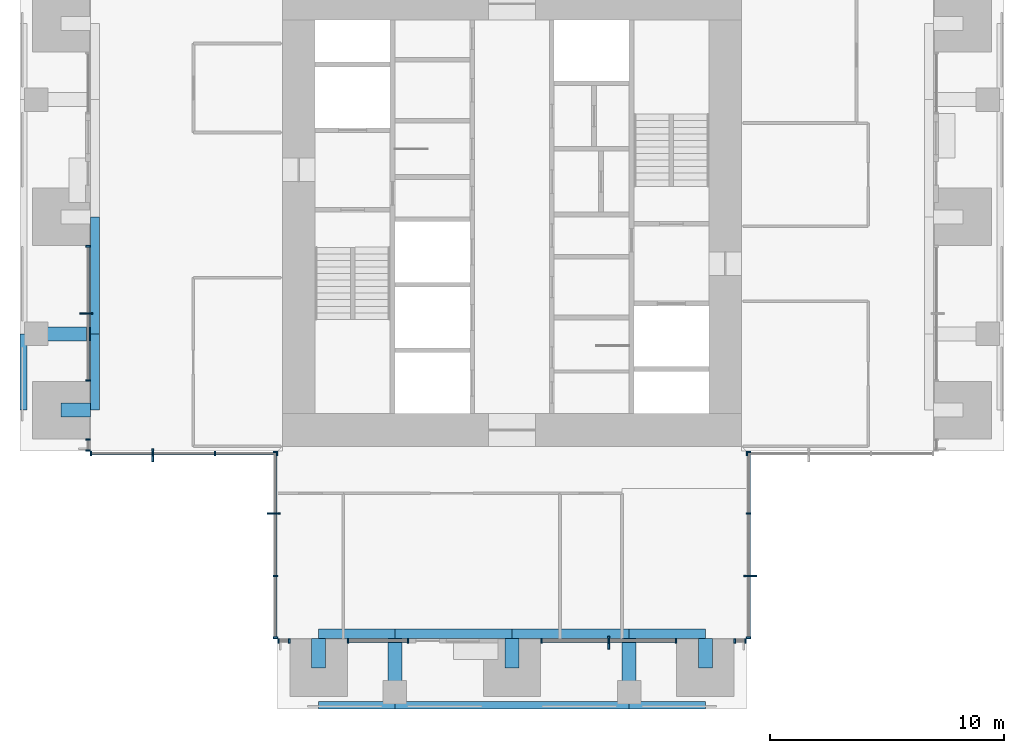
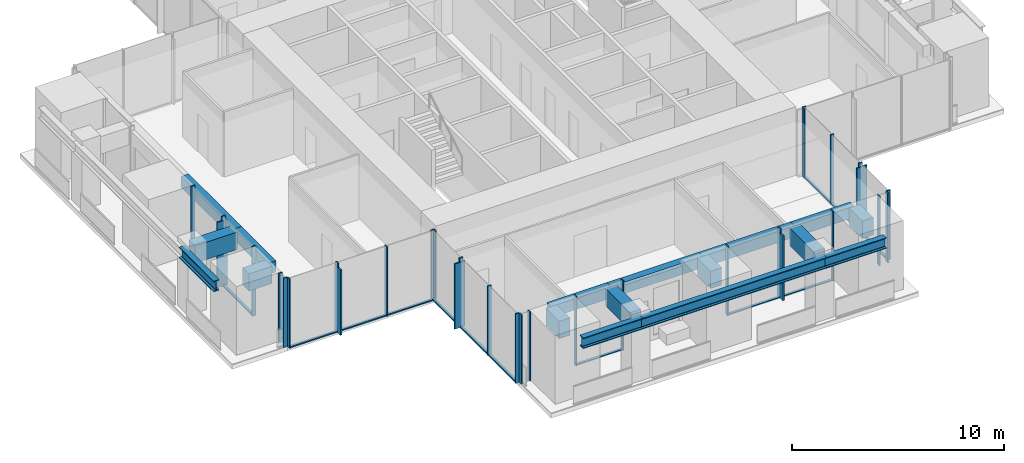
# One storey, part 2 of 17: 46 members, 17 beams, 10 elements without a shape of their own.
"""IFC4 building model written with IfcOpenShell, lengths in metres."""

from ifc_helpers import new_model, si_unit, direction, frame, origin, origin_2d, place, context, subcontext, project, spatial, rectangle, i_section, extrude, material, material_profile, profile_set, type_object, element, aggregate, save


model = new_model("IFC4")

# Units and contexts
model_context = context("Model", 3, precision=1e-05, world=origin(), true_north=direction((0.0, 1.0)))
body_context = subcontext(model_context, "Body", "Model", "MODEL_VIEW")
ifc_project = project(units=[si_unit("LENGTHUNIT", "METRE"), si_unit("AREAUNIT", "SQUARE_METRE"), si_unit("VOLUMEUNIT", "CUBIC_METRE"), si_unit("PLANEANGLEUNIT", "RADIAN"), si_unit("MASSUNIT", "GRAM", prefix="KILO")], contexts=[model_context])

# Site, building, storey
site_placement = place(None, origin())
site = spatial("IfcSite", under=ifc_project, at=site_placement, CompositionType="ELEMENT")
building_placement = place(site_placement, origin())
building = spatial("IfcBuilding", under=site, at=building_placement, Name="Svetlomir Tower", CompositionType="ELEMENT")
storey_placement = place(building_placement, frame((0.0, 0.0, 174.5)))
storey = spatial("IfcBuildingStorey", under=building, at=storey_placement, Name="L41", CompositionType="ELEMENT", Elevation=174.5)

# Curtain wall, member
ifc_material_1 = material(Name="Bronze anodised aluminium curtain wall", Category="aluminium")
curtain_wall_type = type_object("IfcCurtainWallType", Name="CURTAIN WALL CW1 TOWER OFFICE", PredefinedType="NOTDEFINED", material=ifc_material_1)
curtain_wall_1_placement = place(storey_placement, origin())
curtain_wall_1 = element("IfcCurtainWall", 1, at=curtain_wall_1_placement, inside=storey, type_object=curtain_wall_type, Name="Curtain wall CW1 L41", PredefinedType="NOTDEFINED")
ifc_material_2 = material(Name="Bronze anodised aluminium", Category="aluminium")
ifc_material_profile_1 = material_profile(ifc_material_2, rectangle(XDim=0.080078125, YDim=0.550048828125, at=origin_2d()), Name="FIN 80x550")
ifc_profile_set_1 = profile_set([ifc_material_profile_1], Name="Bronze anodised aluminium 6063-T6")
member_type_1 = type_object("IfcMemberType", Name="BRONZE FIN 80x550", PredefinedType="USERDEFINED", material=ifc_profile_set_1)
member_1_placement = place(storey_placement, frame((25.125, 2.824951171875, 0.0), z_axis=(0.0, 0.0, 1.0), x_axis=(1.0, 0.0, 0.0)))
member_1 = element("IfcMember", 2, at=member_1_placement, type_object=member_type_1, Name="Bronze fin L41", ObjectType="FIN", PredefinedType="USERDEFINED", context=body_context, shape_type="SweptSolid", body=[
    extrude(rectangle(XDim=0.080078125, YDim=0.550048828125, at=origin_2d()), origin(), (0.0, 0.0, 1.0), 3.75),
])

curtain_wall_2_placement = place(storey_placement, origin())
curtain_wall_2 = element("IfcCurtainWall", 3, at=curtain_wall_2_placement, inside=storey, type_object=curtain_wall_type, Name="Curtain wall CW1 L41", PredefinedType="NOTDEFINED")
member_2_placement = place(storey_placement, frame((31.175048828125, 5.666748046875, 0.0), z_axis=(0.0, 0.0, 1.0), x_axis=(0.0, 1.0, 0.0)))
member_2 = element("IfcMember", 4, at=member_2_placement, type_object=member_type_1, Name="Bronze fin L41", ObjectType="FIN", PredefinedType="USERDEFINED", context=body_context, shape_type="SweptSolid", body=[
    extrude(rectangle(XDim=0.080078125, YDim=0.550048828125, at=origin_2d()), origin(), (0.0, 0.0, 1.0), 3.75),
])

curtain_wall_3_placement = place(storey_placement, origin())
curtain_wall_3 = element("IfcCurtainWall", 5, at=curtain_wall_3_placement, inside=storey, type_object=curtain_wall_type, Name="Curtain wall CW1 L41", PredefinedType="NOTDEFINED")
member_3_placement = place(storey_placement, frame((2.824951171875, 16.875, 0.0), z_axis=(0.0, 0.0, 1.0), x_axis=(0.0, 1.0, 0.0)))
member_3 = element("IfcMember", 6, at=member_3_placement, type_object=member_type_1, Name="Bronze fin L41", ObjectType="FIN", PredefinedType="USERDEFINED", context=body_context, shape_type="SweptSolid", body=[
    extrude(rectangle(XDim=0.080078125, YDim=0.550048828125, at=origin_2d()), origin(), (0.0, 0.0, 1.0), 3.75),
])

curtain_wall_4_placement = place(storey_placement, origin())
curtain_wall_4 = element("IfcCurtainWall", 7, at=curtain_wall_4_placement, inside=storey, type_object=curtain_wall_type, Name="Curtain wall CW1 L41", PredefinedType="NOTDEFINED")
member_4_placement = place(storey_placement, frame((5.666748046875, 10.824951171875, 0.0), z_axis=(0.0, 0.0, 1.0), x_axis=(1.0, 0.0, 0.0)))
member_4 = element("IfcMember", 8, at=member_4_placement, type_object=member_type_1, Name="Bronze fin L41", ObjectType="FIN", PredefinedType="USERDEFINED", context=body_context, shape_type="SweptSolid", body=[
    extrude(rectangle(XDim=0.080078125, YDim=0.550048828125, at=origin_2d()), origin(), (0.0, 0.0, 1.0), 3.75),
])

curtain_wall_5_placement = place(storey_placement, origin())
curtain_wall_5 = element("IfcCurtainWall", 9, at=curtain_wall_5_placement, inside=storey, type_object=curtain_wall_type, Name="Curtain wall CW1 L41", PredefinedType="NOTDEFINED")
member_5_placement = place(storey_placement, frame((10.824951171875, 8.333251953125, 0.0), z_axis=(0.0, 0.0, 1.0), x_axis=(0.0, 1.0, 0.0)))
member_5 = element("IfcMember", 10, at=member_5_placement, type_object=member_type_1, Name="Bronze fin L41", ObjectType="FIN", PredefinedType="USERDEFINED", context=body_context, shape_type="SweptSolid", body=[
    extrude(rectangle(XDim=0.080078125, YDim=0.550048828125, at=origin_2d()), origin(), (0.0, 0.0, 1.0), 3.75),
])

# Curtain wall, members
curtain_wall_6_placement = place(storey_placement, origin())
curtain_wall_6 = element("IfcCurtainWall", 11, at=curtain_wall_6_placement, inside=storey, type_object=curtain_wall_type, Name="Curtain wall CW1 L41", PredefinedType="NOTDEFINED")
ifc_material_3 = material(Name="Bronze anodised aluminium", Category="aluminium")
ifc_material_profile_2 = material_profile(ifc_material_3, rectangle(XDim=0.06494140625, YDim=0.199951171875, at=origin_2d()), Name="AL 65x200")
ifc_profile_set_2 = profile_set([ifc_material_profile_2], Name="Bronze anodised aluminium 6063-T6")
member_type_2 = type_object("IfcMemberType", Name="CW1 MULLION 65x200", PredefinedType="MULLION", material=ifc_profile_set_2)
member_6_placement = place(storey_placement, frame((11.032470703125, 2.89990234375, 0.0), z_axis=(0.0, 0.0, 1.0), x_axis=(1.0, 0.0, 0.0)))
member_6 = element("IfcMember", 12, at=member_6_placement, type_object=member_type_2, Name="CW1 mullion 1", PredefinedType="MULLION", context=body_context, shape_type="SweptSolid", body=[
    extrude(rectangle(XDim=0.06494140625, YDim=0.199951171875, at=origin_2d()), origin(), (0.0, 0.0, 1.0), 4.0),
])
member_7_placement = place(storey_placement, frame((11.492431640625, 2.89990234375, 0.0), z_axis=(0.0, 0.0, 1.0), x_axis=(1.0, 0.0, 0.0)))
member_7 = element("IfcMember", 13, at=member_7_placement, type_object=member_type_2, Name="CW1 mullion 2", PredefinedType="MULLION", context=body_context, shape_type="SweptSolid", body=[
    extrude(rectangle(XDim=0.06494140625, YDim=0.199951171875, at=origin_2d()), origin(), (0.0, 0.0, 1.0), 4.0),
])
aggregate(curtain_wall_6, [member_6, member_7])

curtain_wall_7_placement = place(storey_placement, origin())
curtain_wall_7 = element("IfcCurtainWall", 14, at=curtain_wall_7_placement, inside=storey, type_object=curtain_wall_type, Name="Curtain wall CW1 L41", PredefinedType="NOTDEFINED")
member_8_placement = place(storey_placement, frame((14.007568359375, 2.89990234375, 0.0), z_axis=(0.0, 0.0, 1.0), x_axis=(1.0, 0.0, 0.0)))
member_8 = element("IfcMember", 15, at=member_8_placement, type_object=member_type_2, Name="CW1 mullion 1", PredefinedType="MULLION", context=body_context, shape_type="SweptSolid", body=[
    extrude(rectangle(XDim=0.06494140625, YDim=0.199951171875, at=origin_2d()), origin(), (0.0, 0.0, 1.0), 4.0),
])
member_9_placement = place(storey_placement, frame((16.5673828125, 2.89990234375, 0.0), z_axis=(0.0, 0.0, 1.0), x_axis=(1.0, 0.0, 0.0)))
member_9 = element("IfcMember", 16, at=member_9_placement, type_object=member_type_2, Name="CW1 mullion 2", PredefinedType="MULLION", context=body_context, shape_type="SweptSolid", body=[
    extrude(rectangle(XDim=0.06494140625, YDim=0.199951171875, at=origin_2d()), origin(), (0.0, 0.0, 1.0), 4.0),
])

# Member
member_10_placement = place(storey_placement, frame((22.257568359375, 2.89990234375, 0.0), z_axis=(0.0, 0.0, 1.0), x_axis=(1.0, 0.0, 0.0)))
member_10 = element("IfcMember", 17, at=member_10_placement, type_object=member_type_2, Name="CW1 mullion 1", PredefinedType="MULLION", context=body_context, shape_type="SweptSolid", body=[
    extrude(rectangle(XDim=0.06494140625, YDim=0.199951171875, at=origin_2d()), origin(), (0.0, 0.0, 1.0), 4.0),
])

member_11_placement = place(storey_placement, frame((25.125, 2.89990234375, 0.0), z_axis=(0.0, 0.0, 1.0), x_axis=(1.0, 0.0, 0.0)))
member_11 = element("IfcMember", 18, at=member_11_placement, type_object=member_type_2, Name="CW1 mullion 2", PredefinedType="MULLION", context=body_context, shape_type="SweptSolid", body=[
    extrude(rectangle(XDim=0.06494140625, YDim=0.199951171875, at=origin_2d()), origin(), (0.0, 0.0, 1.0), 4.0),
])

member_12_placement = place(storey_placement, frame((27.992431640625, 2.89990234375, 0.0), z_axis=(0.0, 0.0, 1.0), x_axis=(1.0, 0.0, 0.0)))
member_12 = element("IfcMember", 19, at=member_12_placement, type_object=member_type_2, Name="CW1 mullion 3", PredefinedType="MULLION", context=body_context, shape_type="SweptSolid", body=[
    extrude(rectangle(XDim=0.06494140625, YDim=0.199951171875, at=origin_2d()), origin(), (0.0, 0.0, 1.0), 4.0),
])

# Curtain wall, members
curtain_wall_8_placement = place(storey_placement, origin())
curtain_wall_8 = element("IfcCurtainWall", 20, at=curtain_wall_8_placement, inside=storey, type_object=curtain_wall_type, Name="Curtain wall CW1 L41", PredefinedType="NOTDEFINED")
member_13_placement = place(storey_placement, frame((30.507568359375, 2.89990234375, 0.0), z_axis=(0.0, 0.0, 1.0), x_axis=(1.0, 0.0, 0.0)))
member_13 = element("IfcMember", 21, at=member_13_placement, type_object=member_type_2, Name="CW1 mullion 1", PredefinedType="MULLION", context=body_context, shape_type="SweptSolid", body=[
    extrude(rectangle(XDim=0.06494140625, YDim=0.199951171875, at=origin_2d()), origin(), (0.0, 0.0, 1.0), 4.0),
])
member_14_placement = place(storey_placement, frame((30.967529296875, 2.89990234375, 0.0), z_axis=(0.0, 0.0, 1.0), x_axis=(1.0, 0.0, 0.0)))
member_14 = element("IfcMember", 22, at=member_14_placement, type_object=member_type_2, Name="CW1 mullion 2", PredefinedType="MULLION", context=body_context, shape_type="SweptSolid", body=[
    extrude(rectangle(XDim=0.06494140625, YDim=0.199951171875, at=origin_2d()), origin(), (0.0, 0.0, 1.0), 4.0),
])
aggregate(curtain_wall_8, [member_13, member_14])

# Member
member_15_placement = place(storey_placement, frame((31.10009765625, 3.032470703125, 0.0), z_axis=(0.0, 0.0, 1.0), x_axis=(0.0, 1.0, 0.0)))
member_15 = element("IfcMember", 23, at=member_15_placement, type_object=member_type_2, Name="CW1 mullion 1", PredefinedType="MULLION", context=body_context, shape_type="SweptSolid", body=[
    extrude(rectangle(XDim=0.06494140625, YDim=0.199951171875, at=origin_2d()), origin(), (0.0, 0.0, 1.0), 4.0),
])

member_16_placement = place(storey_placement, frame((31.10009765625, 5.666748046875, 0.0), z_axis=(0.0, 0.0, 1.0), x_axis=(0.0, 1.0, 0.0)))
member_16 = element("IfcMember", 24, at=member_16_placement, type_object=member_type_2, Name="CW1 mullion 2", PredefinedType="MULLION", context=body_context, shape_type="SweptSolid", body=[
    extrude(rectangle(XDim=0.06494140625, YDim=0.199951171875, at=origin_2d()), origin(), (0.0, 0.0, 1.0), 4.0),
])

member_17_placement = place(storey_placement, frame((31.10009765625, 8.333251953125, 0.0), z_axis=(0.0, 0.0, 1.0), x_axis=(0.0, 1.0, 0.0)))
member_17 = element("IfcMember", 25, at=member_17_placement, type_object=member_type_2, Name="CW1 mullion 3", PredefinedType="MULLION", context=body_context, shape_type="SweptSolid", body=[
    extrude(rectangle(XDim=0.06494140625, YDim=0.199951171875, at=origin_2d()), origin(), (0.0, 0.0, 1.0), 4.0),
])

member_18_placement = place(storey_placement, frame((31.10009765625, 10.967529296875, 0.0), z_axis=(0.0, 0.0, 1.0), x_axis=(0.0, 1.0, 0.0)))
member_18 = element("IfcMember", 26, at=member_18_placement, type_object=member_type_2, Name="CW1 mullion 4", PredefinedType="MULLION", context=body_context, shape_type="SweptSolid", body=[
    extrude(rectangle(XDim=0.06494140625, YDim=0.199951171875, at=origin_2d()), origin(), (0.0, 0.0, 1.0), 4.0),
])

# Curtain wall, member
curtain_wall_9_placement = place(storey_placement, origin())
curtain_wall_9 = element("IfcCurtainWall", 27, at=curtain_wall_9_placement, inside=storey, type_object=curtain_wall_type, Name="Curtain wall CW1 L41", PredefinedType="NOTDEFINED")
member_19_placement = place(storey_placement, frame((31.032470703125, 10.89990234375, 0.0), z_axis=(0.0, 0.0, 1.0), x_axis=(1.0, 0.0, 0.0)))
member_19 = element("IfcMember", 28, at=member_19_placement, type_object=member_type_2, Name="CW1 mullion 1", PredefinedType="MULLION", context=body_context, shape_type="SweptSolid", body=[
    extrude(rectangle(XDim=0.06494140625, YDim=0.199951171875, at=origin_2d()), origin(), (0.0, 0.0, 1.0), 4.0),
])
aggregate(curtain_wall_9, [member_19])

# Member
member_20_placement = place(storey_placement, frame((2.89990234375, 19.742431640625, 0.0), z_axis=(0.0, 0.0, 1.0), x_axis=(0.0, -1.0, 0.0)))
member_20 = element("IfcMember", 29, at=member_20_placement, type_object=member_type_2, Name="CW1 mullion 1", PredefinedType="MULLION", context=body_context, shape_type="SweptSolid", body=[
    extrude(rectangle(XDim=0.06494140625, YDim=0.199951171875, at=origin_2d()), origin(), (0.0, 0.0, 1.0), 4.0),
])

member_21_placement = place(storey_placement, frame((2.89990234375, 16.875, 0.0), z_axis=(0.0, 0.0, 1.0), x_axis=(0.0, -1.0, 0.0)))
member_21 = element("IfcMember", 30, at=member_21_placement, type_object=member_type_2, Name="CW1 mullion 2", PredefinedType="MULLION", context=body_context, shape_type="SweptSolid", body=[
    extrude(rectangle(XDim=0.06494140625, YDim=0.199951171875, at=origin_2d()), origin(), (0.0, 0.0, 1.0), 4.0),
])

member_22_placement = place(storey_placement, frame((2.89990234375, 14.007568359375, 0.0), z_axis=(0.0, 0.0, 1.0), x_axis=(0.0, -1.0, 0.0)))
member_22 = element("IfcMember", 31, at=member_22_placement, type_object=member_type_2, Name="CW1 mullion 3", PredefinedType="MULLION", context=body_context, shape_type="SweptSolid", body=[
    extrude(rectangle(XDim=0.06494140625, YDim=0.199951171875, at=origin_2d()), origin(), (0.0, 0.0, 1.0), 4.0),
])

# Curtain wall, members
curtain_wall_10_placement = place(storey_placement, origin())
curtain_wall_10 = element("IfcCurtainWall", 32, at=curtain_wall_10_placement, inside=storey, type_object=curtain_wall_type, Name="Curtain wall CW1 L41", PredefinedType="NOTDEFINED")
member_23_placement = place(storey_placement, frame((2.89990234375, 11.492431640625, 0.0), z_axis=(0.0, 0.0, 1.0), x_axis=(0.0, -1.0, 0.0)))
member_23 = element("IfcMember", 33, at=member_23_placement, type_object=member_type_2, Name="CW1 mullion 1", PredefinedType="MULLION", context=body_context, shape_type="SweptSolid", body=[
    extrude(rectangle(XDim=0.06494140625, YDim=0.199951171875, at=origin_2d()), origin(), (0.0, 0.0, 1.0), 4.0),
])
member_24_placement = place(storey_placement, frame((2.89990234375, 11.032470703125, 0.0), z_axis=(0.0, 0.0, 1.0), x_axis=(0.0, -1.0, 0.0)))
member_24 = element("IfcMember", 34, at=member_24_placement, type_object=member_type_2, Name="CW1 mullion 2", PredefinedType="MULLION", context=body_context, shape_type="SweptSolid", body=[
    extrude(rectangle(XDim=0.06494140625, YDim=0.199951171875, at=origin_2d()), origin(), (0.0, 0.0, 1.0), 4.0),
])
aggregate(curtain_wall_10, [member_23, member_24])

# Member
member_25_placement = place(storey_placement, frame((3.032470703125, 10.89990234375, 0.0), z_axis=(0.0, 0.0, 1.0), x_axis=(1.0, 0.0, 0.0)))
member_25 = element("IfcMember", 35, at=member_25_placement, type_object=member_type_2, Name="CW1 mullion 1", PredefinedType="MULLION", context=body_context, shape_type="SweptSolid", body=[
    extrude(rectangle(XDim=0.06494140625, YDim=0.199951171875, at=origin_2d()), origin(), (0.0, 0.0, 1.0), 4.0),
])

member_26_placement = place(storey_placement, frame((5.666748046875, 10.89990234375, 0.0), z_axis=(0.0, 0.0, 1.0), x_axis=(1.0, 0.0, 0.0)))
member_26 = element("IfcMember", 36, at=member_26_placement, type_object=member_type_2, Name="CW1 mullion 2", PredefinedType="MULLION", context=body_context, shape_type="SweptSolid", body=[
    extrude(rectangle(XDim=0.06494140625, YDim=0.199951171875, at=origin_2d()), origin(), (0.0, 0.0, 1.0), 4.0),
])

member_27_placement = place(storey_placement, frame((8.333251953125, 10.89990234375, 0.0), z_axis=(0.0, 0.0, 1.0), x_axis=(1.0, 0.0, 0.0)))
member_27 = element("IfcMember", 37, at=member_27_placement, type_object=member_type_2, Name="CW1 mullion 3", PredefinedType="MULLION", context=body_context, shape_type="SweptSolid", body=[
    extrude(rectangle(XDim=0.06494140625, YDim=0.199951171875, at=origin_2d()), origin(), (0.0, 0.0, 1.0), 4.0),
])

member_28_placement = place(storey_placement, frame((10.967529296875, 10.89990234375, 0.0), z_axis=(0.0, 0.0, 1.0), x_axis=(1.0, 0.0, 0.0)))
member_28 = element("IfcMember", 38, at=member_28_placement, type_object=member_type_2, Name="CW1 mullion 4", PredefinedType="MULLION", context=body_context, shape_type="SweptSolid", body=[
    extrude(rectangle(XDim=0.06494140625, YDim=0.199951171875, at=origin_2d()), origin(), (0.0, 0.0, 1.0), 4.0),
])

member_29_placement = place(storey_placement, frame((10.89990234375, 10.967529296875, 0.0), z_axis=(0.0, 0.0, 1.0), x_axis=(0.0, -1.0, 0.0)))
member_29 = element("IfcMember", 39, at=member_29_placement, type_object=member_type_2, Name="CW1 mullion 1", PredefinedType="MULLION", context=body_context, shape_type="SweptSolid", body=[
    extrude(rectangle(XDim=0.06494140625, YDim=0.199951171875, at=origin_2d()), origin(), (0.0, 0.0, 1.0), 4.0),
])

member_30_placement = place(storey_placement, frame((10.89990234375, 8.333251953125, 0.0), z_axis=(0.0, 0.0, 1.0), x_axis=(0.0, -1.0, 0.0)))
member_30 = element("IfcMember", 40, at=member_30_placement, type_object=member_type_2, Name="CW1 mullion 2", PredefinedType="MULLION", context=body_context, shape_type="SweptSolid", body=[
    extrude(rectangle(XDim=0.06494140625, YDim=0.199951171875, at=origin_2d()), origin(), (0.0, 0.0, 1.0), 4.0),
])

member_31_placement = place(storey_placement, frame((10.89990234375, 5.666748046875, 0.0), z_axis=(0.0, 0.0, 1.0), x_axis=(0.0, -1.0, 0.0)))
member_31 = element("IfcMember", 41, at=member_31_placement, type_object=member_type_2, Name="CW1 mullion 3", PredefinedType="MULLION", context=body_context, shape_type="SweptSolid", body=[
    extrude(rectangle(XDim=0.06494140625, YDim=0.199951171875, at=origin_2d()), origin(), (0.0, 0.0, 1.0), 4.0),
])

member_32_placement = place(storey_placement, frame((10.89990234375, 3.032470703125, 0.0), z_axis=(0.0, 0.0, 1.0), x_axis=(0.0, -1.0, 0.0)))
member_32 = element("IfcMember", 42, at=member_32_placement, type_object=member_type_2, Name="CW1 mullion 4", PredefinedType="MULLION", context=body_context, shape_type="SweptSolid", body=[
    extrude(rectangle(XDim=0.06494140625, YDim=0.199951171875, at=origin_2d()), origin(), (0.0, 0.0, 1.0), 4.0),
])

ifc_material_4 = material(Name="Bronze anodised aluminium", Category="aluminium")
ifc_material_profile_3 = material_profile(ifc_material_4, rectangle(XDim=0.139892578125, YDim=0.06494140625, at=origin_2d()), Name="AL 140x65")
ifc_profile_set_3 = profile_set([ifc_material_profile_3], Name="Bronze anodised aluminium 6063-T6")
member_type_3 = type_object("IfcMemberType", Name="CW1 TRANSOM 65x140", PredefinedType="USERDEFINED", material=ifc_profile_set_3)
member_33_placement = place(storey_placement, frame((14.0400390625, 2.89990234375, 0.032470703125), z_axis=(1.0, 0.0, 0.0), x_axis=(0.0, 1.0, 0.0)))
member_33 = element("IfcMember", 43, at=member_33_placement, type_object=member_type_3, Name="CW1 transom 1.1", ObjectType="TRANSOM", PredefinedType="USERDEFINED", context=body_context, shape_type="SweptSolid", body=[
    extrude(rectangle(XDim=0.139892578125, YDim=0.06494140625, at=origin_2d()), origin(), (0.0, 0.0, 1.0), 2.494873046875),
])

aggregate(curtain_wall_7, [member_8, member_9, member_33])

member_34_placement = place(storey_placement, frame((22.2900390625, 2.89990234375, 0.032470703125), z_axis=(1.0, 0.0, 0.0), x_axis=(0.0, 1.0, 0.0)))
member_34 = element("IfcMember", 44, at=member_34_placement, type_object=member_type_3, Name="CW1 transom 1.1", ObjectType="TRANSOM", PredefinedType="USERDEFINED", context=body_context, shape_type="SweptSolid", body=[
    extrude(rectangle(XDim=0.139892578125, YDim=0.06494140625, at=origin_2d()), origin(), (0.0, 0.0, 1.0), 2.802490234375),
])

member_35_placement = place(storey_placement, frame((25.157470703125, 2.89990234375, 0.032470703125), z_axis=(1.0, 0.0, 0.0), x_axis=(0.0, 1.0, 0.0)))
member_35 = element("IfcMember", 45, at=member_35_placement, type_object=member_type_3, Name="CW1 transom 2.1", ObjectType="TRANSOM", PredefinedType="USERDEFINED", context=body_context, shape_type="SweptSolid", body=[
    extrude(rectangle(XDim=0.139892578125, YDim=0.06494140625, at=origin_2d()), origin(), (0.0, 0.0, 1.0), 2.802490234375),
])

aggregate(curtain_wall_1, [member_10, member_11, member_12, member_34, member_35, member_1])

member_36_placement = place(storey_placement, frame((31.10009765625, 3.06494140625, 0.032470703125), z_axis=(0.0, 1.0, 0.0), x_axis=(-1.0, 0.0, 0.0)))
member_36 = element("IfcMember", 46, at=member_36_placement, type_object=member_type_3, Name="CW1 transom 1.1", ObjectType="TRANSOM", PredefinedType="USERDEFINED", context=body_context, shape_type="SweptSolid", body=[
    extrude(rectangle(XDim=0.139892578125, YDim=0.06494140625, at=origin_2d()), origin(), (0.0, 0.0, 1.0), 2.5693359375),
])

member_37_placement = place(storey_placement, frame((31.10009765625, 5.69921875, 0.032470703125), z_axis=(0.0, 1.0, 0.0), x_axis=(-1.0, 0.0, 0.0)))
member_37 = element("IfcMember", 47, at=member_37_placement, type_object=member_type_3, Name="CW1 transom 2.1", ObjectType="TRANSOM", PredefinedType="USERDEFINED", context=body_context, shape_type="SweptSolid", body=[
    extrude(rectangle(XDim=0.139892578125, YDim=0.06494140625, at=origin_2d()), origin(), (0.0, 0.0, 1.0), 2.6015625),
])

member_38_placement = place(storey_placement, frame((31.10009765625, 8.36572265625, 0.032470703125), z_axis=(0.0, 1.0, 0.0), x_axis=(-1.0, 0.0, 0.0)))
member_38 = element("IfcMember", 48, at=member_38_placement, type_object=member_type_3, Name="CW1 transom 3.1", ObjectType="TRANSOM", PredefinedType="USERDEFINED", context=body_context, shape_type="SweptSolid", body=[
    extrude(rectangle(XDim=0.139892578125, YDim=0.06494140625, at=origin_2d()), origin(), (0.0, 0.0, 1.0), 2.5693359375),
])

aggregate(curtain_wall_2, [member_15, member_16, member_17, member_18, member_36, member_37, member_38, member_2])

member_39_placement = place(storey_placement, frame((2.89990234375, 19.7099609375, 0.032470703125), z_axis=(0.0, -1.0, 0.0), x_axis=(1.0, 0.0, 0.0)))
member_39 = element("IfcMember", 49, at=member_39_placement, type_object=member_type_3, Name="CW1 transom 1.1", ObjectType="TRANSOM", PredefinedType="USERDEFINED", context=body_context, shape_type="SweptSolid", body=[
    extrude(rectangle(XDim=0.139892578125, YDim=0.06494140625, at=origin_2d()), origin(), (0.0, 0.0, 1.0), 2.802490234375),
])

member_40_placement = place(storey_placement, frame((2.89990234375, 16.842529296875, 0.032470703125), z_axis=(0.0, -1.0, 0.0), x_axis=(1.0, 0.0, 0.0)))
member_40 = element("IfcMember", 50, at=member_40_placement, type_object=member_type_3, Name="CW1 transom 2.1", ObjectType="TRANSOM", PredefinedType="USERDEFINED", context=body_context, shape_type="SweptSolid", body=[
    extrude(rectangle(XDim=0.139892578125, YDim=0.06494140625, at=origin_2d()), origin(), (0.0, 0.0, 1.0), 2.802490234375),
])

aggregate(curtain_wall_3, [member_20, member_21, member_22, member_39, member_40, member_3])

member_41_placement = place(storey_placement, frame((3.06494140625, 10.89990234375, 0.032470703125), z_axis=(1.0, 0.0, 0.0), x_axis=(0.0, 1.0, 0.0)))
member_41 = element("IfcMember", 51, at=member_41_placement, type_object=member_type_3, Name="CW1 transom 1.1", ObjectType="TRANSOM", PredefinedType="USERDEFINED", context=body_context, shape_type="SweptSolid", body=[
    extrude(rectangle(XDim=0.139892578125, YDim=0.06494140625, at=origin_2d()), origin(), (0.0, 0.0, 1.0), 2.5693359375),
])

member_42_placement = place(storey_placement, frame((5.69921875, 10.89990234375, 0.032470703125), z_axis=(1.0, 0.0, 0.0), x_axis=(0.0, 1.0, 0.0)))
member_42 = element("IfcMember", 52, at=member_42_placement, type_object=member_type_3, Name="CW1 transom 2.1", ObjectType="TRANSOM", PredefinedType="USERDEFINED", context=body_context, shape_type="SweptSolid", body=[
    extrude(rectangle(XDim=0.139892578125, YDim=0.06494140625, at=origin_2d()), origin(), (0.0, 0.0, 1.0), 2.6015625),
])

member_43_placement = place(storey_placement, frame((8.36572265625, 10.89990234375, 0.032470703125), z_axis=(1.0, 0.0, 0.0), x_axis=(0.0, 1.0, 0.0)))
member_43 = element("IfcMember", 53, at=member_43_placement, type_object=member_type_3, Name="CW1 transom 3.1", ObjectType="TRANSOM", PredefinedType="USERDEFINED", context=body_context, shape_type="SweptSolid", body=[
    extrude(rectangle(XDim=0.139892578125, YDim=0.06494140625, at=origin_2d()), origin(), (0.0, 0.0, 1.0), 2.5693359375),
])

aggregate(curtain_wall_4, [member_25, member_26, member_27, member_28, member_41, member_42, member_43, member_4])

member_44_placement = place(storey_placement, frame((10.89990234375, 10.93505859375, 0.032470703125), z_axis=(0.0, -1.0, 0.0), x_axis=(1.0, 0.0, 0.0)))
member_44 = element("IfcMember", 54, at=member_44_placement, type_object=member_type_3, Name="CW1 transom 1.1", ObjectType="TRANSOM", PredefinedType="USERDEFINED", context=body_context, shape_type="SweptSolid", body=[
    extrude(rectangle(XDim=0.139892578125, YDim=0.06494140625, at=origin_2d()), origin(), (0.0, 0.0, 1.0), 2.5693359375),
])

member_45_placement = place(storey_placement, frame((10.89990234375, 8.30078125, 0.032470703125), z_axis=(0.0, -1.0, 0.0), x_axis=(1.0, 0.0, 0.0)))
member_45 = element("IfcMember", 55, at=member_45_placement, type_object=member_type_3, Name="CW1 transom 2.1", ObjectType="TRANSOM", PredefinedType="USERDEFINED", context=body_context, shape_type="SweptSolid", body=[
    extrude(rectangle(XDim=0.139892578125, YDim=0.06494140625, at=origin_2d()), origin(), (0.0, 0.0, 1.0), 2.6015625),
])

member_46_placement = place(storey_placement, frame((10.89990234375, 5.63427734375, 0.032470703125), z_axis=(0.0, -1.0, 0.0), x_axis=(1.0, 0.0, 0.0)))
member_46 = element("IfcMember", 56, at=member_46_placement, type_object=member_type_3, Name="CW1 transom 3.1", ObjectType="TRANSOM", PredefinedType="USERDEFINED", context=body_context, shape_type="SweptSolid", body=[
    extrude(rectangle(XDim=0.139892578125, YDim=0.06494140625, at=origin_2d()), origin(), (0.0, 0.0, 1.0), 2.5693359375),
])

aggregate(curtain_wall_5, [member_29, member_30, member_31, member_32, member_44, member_45, member_46, member_5])

# Beams
ifc_material_5 = material(Name="Steel S355", Category="steel")
ifc_material_profile_4 = material_profile(ifc_material_5, i_section(OverallWidth=0.304931640625, OverallDepth=0.6201171875, WebThickness=0.02099609375, FlangeThickness=0.0400390625, FilletRadius=0.027099609375, at=origin_2d()), Name="HEM 600")
ifc_profile_set_4 = profile_set([ifc_material_profile_4], Name="Steel S355")
beam_type_1 = type_object("IfcBeamType", Name="EDGE BEAM HEM 600", PredefinedType="SPANDREL", material=ifc_profile_set_4)
for number, where, z_axis, x_axis, name in (
    (57, (12.75, 0.152587890625, 3.43994140625), (1.0, 0.0, 0.0), (0.0, 1.0, 0.0), "Edge beam 11/0 to 16/0 under L42"),
    (58, (0.152587890625, 12.75, 3.43994140625), (0.0, 1.0, 0.0), (-1.0, 0.0, 0.0), "Edge beam 0/11 to 0/16 under L42"),
):
    element("IfcBeam", number, at=place(storey_placement, frame(where, z_axis=z_axis, x_axis=x_axis)), inside=storey, type_object=beam_type_1, Name=name, PredefinedType="SPANDREL", context=body_context, shape_type="SweptSolid", body=[
        extrude(i_section(OverallWidth=0.304931640625, OverallDepth=0.6201171875, WebThickness=0.02099609375, FlangeThickness=0.0400390625, FilletRadius=0.027099609375, at=origin_2d()), origin(), (0.0, 0.0, 1.0), 3.25),
    ])
beam_1_placement = place(storey_placement, frame((16.0, 0.152587890625, 3.43994140625), z_axis=(1.0, 0.0, 0.0), x_axis=(0.0, 1.0, 0.0)))
element("IfcBeam", 59, at=beam_1_placement, inside=storey, type_object=beam_type_1, Name="Edge beam 16/0 to 26/0 under L42", PredefinedType="SPANDREL", context=body_context, shape_type="SweptSolid", body=[
    extrude(i_section(OverallWidth=0.304931640625, OverallDepth=0.6201171875, WebThickness=0.02099609375, FlangeThickness=0.0400390625, FilletRadius=0.027099609375, at=origin_2d()), origin(), (0.0, 0.0, 1.0), 10.0),
])
beam_2_placement = place(storey_placement, frame((26.0, 0.152587890625, 3.43994140625), z_axis=(1.0, 0.0, 0.0), x_axis=(0.0, 1.0, 0.0)))
element("IfcBeam", 60, at=beam_2_placement, inside=storey, type_object=beam_type_1, Name="Edge beam 26/0 to 31/0 under L42", PredefinedType="SPANDREL", context=body_context, shape_type="SweptSolid", body=[
    extrude(i_section(OverallWidth=0.304931640625, OverallDepth=0.6201171875, WebThickness=0.02099609375, FlangeThickness=0.0400390625, FilletRadius=0.027099609375, at=origin_2d()), origin(), (0.0, 0.0, 1.0), 3.25),
])
ifc_material_6 = material(Name="Concrete C60/75", Category="concrete")
ifc_material_profile_5 = material_profile(ifc_material_6, rectangle(XDim=0.39990234375, YDim=0.64990234375, at=origin_2d()), Name="RC 400x650")
ifc_profile_set_5 = profile_set([ifc_material_profile_5], Name="Concrete C60/75")
beam_type_2 = type_object("IfcBeamType", Name="FACADE EDGE BEAM RC 400x650", PredefinedType="BEAM", material=ifc_profile_set_5)
beam_3_placement = place(storey_placement, frame((12.75, 3.199951171875, 3.425048828125), z_axis=(1.0, 0.0, 0.0), x_axis=(0.0, 1.0, 0.0)))
element("IfcBeam", 61, at=beam_3_placement, inside=storey, type_object=beam_type_2, Name="Facade edge beam S 11 to 16 under L42", PredefinedType="BEAM", context=body_context, shape_type="SweptSolid", body=[
    extrude(rectangle(XDim=0.39990234375, YDim=0.64990234375, at=origin_2d()), origin(), (0.0, 0.0, 1.0), 3.25),
])
for number, where, z_axis, x_axis, name in (
    (62, (16.0, 3.199951171875, 3.425048828125), (1.0, 0.0, 0.0), (0.0, 1.0, 0.0), "Facade edge beam S 16 to 21 under L42"),
    (63, (21.0, 3.199951171875, 3.425048828125), (1.0, 0.0, 0.0), (0.0, 1.0, 0.0), "Facade edge beam S 21 to 26 under L42"),
):
    element("IfcBeam", number, at=place(storey_placement, frame(where, z_axis=z_axis, x_axis=x_axis)), inside=storey, type_object=beam_type_2, Name=name, PredefinedType="BEAM", context=body_context, shape_type="SweptSolid", body=[
        extrude(rectangle(XDim=0.39990234375, YDim=0.64990234375, at=origin_2d()), origin(), (0.0, 0.0, 1.0), 5.0),
    ])
for number, where, z_axis, x_axis, name in (
    (64, (26.0, 3.199951171875, 3.425048828125), (1.0, 0.0, 0.0), (0.0, 1.0, 0.0), "Facade edge beam S 26 to 31 under L42"),
    (65, (3.199951171875, 12.75, 3.425048828125), (0.0, 1.0, 0.0), (-1.0, 0.0, 0.0), "Facade edge beam W 11 to 16 under L42"),
):
    element("IfcBeam", number, at=place(storey_placement, frame(where, z_axis=z_axis, x_axis=x_axis)), inside=storey, type_object=beam_type_2, Name=name, PredefinedType="BEAM", context=body_context, shape_type="SweptSolid", body=[
        extrude(rectangle(XDim=0.39990234375, YDim=0.64990234375, at=origin_2d()), origin(), (0.0, 0.0, 1.0), 3.25),
    ])
beam_4_placement = place(storey_placement, frame((3.199951171875, 16.0, 3.425048828125), z_axis=(0.0, 1.0, 0.0), x_axis=(-1.0, 0.0, 0.0)))
element("IfcBeam", 66, at=beam_4_placement, inside=storey, type_object=beam_type_2, Name="Facade edge beam W 16 to 21 under L42", PredefinedType="BEAM", context=body_context, shape_type="SweptSolid", body=[
    extrude(rectangle(XDim=0.39990234375, YDim=0.64990234375, at=origin_2d()), origin(), (0.0, 0.0, 1.0), 5.0),
])
ifc_material_7 = material(Name="Concrete C60/75", Category="concrete")
ifc_material_profile_6 = material_profile(ifc_material_7, rectangle(XDim=0.60009765625, YDim=1.0, at=origin_2d()), Name="RC 600x1000")
ifc_profile_set_6 = profile_set([ifc_material_profile_6], Name="Concrete C60/75")
beam_type_3 = type_object("IfcBeamType", Name="LOGGIA LINK BEAM RC 600x1000", PredefinedType="BEAM", material=ifc_profile_set_6)
beam_5_placement = place(storey_placement, frame((12.75, 1.75, 3.25), z_axis=(0.0, 1.0, 0.0), x_axis=(-1.0, 0.0, 0.0)))
element("IfcBeam", 67, at=beam_5_placement, inside=storey, type_object=beam_type_3, Name="Loggia link beam S 11 under L42", PredefinedType="BEAM", context=body_context, shape_type="SweptSolid", body=[
    extrude(rectangle(XDim=0.60009765625, YDim=1.0, at=origin_2d()), origin(), (0.0, 0.0, 1.0), 1.25),
])
beam_6_placement = place(storey_placement, frame((16.0, 0.699951171875, 3.25), z_axis=(0.0, 1.0, 0.0), x_axis=(-1.0, 0.0, 0.0)))
element("IfcBeam", 68, at=beam_6_placement, inside=storey, type_object=beam_type_3, Name="Loggia link beam S 16 under L42", PredefinedType="BEAM", context=body_context, shape_type="SweptSolid", body=[
    extrude(rectangle(XDim=0.60009765625, YDim=1.0, at=origin_2d()), origin(), (0.0, 0.0, 1.0), 2.300048828125),
])
beam_7_placement = place(storey_placement, frame((21.0, 1.75, 3.25), z_axis=(0.0, 1.0, 0.0), x_axis=(-1.0, 0.0, 0.0)))
element("IfcBeam", 69, at=beam_7_placement, inside=storey, type_object=beam_type_3, Name="Loggia link beam S 21 under L42", PredefinedType="BEAM", context=body_context, shape_type="SweptSolid", body=[
    extrude(rectangle(XDim=0.60009765625, YDim=1.0, at=origin_2d()), origin(), (0.0, 0.0, 1.0), 1.25),
])
beam_8_placement = place(storey_placement, frame((26.0, 0.699951171875, 3.25), z_axis=(0.0, 1.0, 0.0), x_axis=(-1.0, 0.0, 0.0)))
element("IfcBeam", 70, at=beam_8_placement, inside=storey, type_object=beam_type_3, Name="Loggia link beam S 26 under L42", PredefinedType="BEAM", context=body_context, shape_type="SweptSolid", body=[
    extrude(rectangle(XDim=0.60009765625, YDim=1.0, at=origin_2d()), origin(), (0.0, 0.0, 1.0), 2.300048828125),
])
for number, where, z_axis, x_axis, name in (
    (71, (29.25, 1.75, 3.25), (0.0, 1.0, 0.0), (-1.0, 0.0, 0.0), "Loggia link beam S 31 under L42"),
    (72, (1.75, 12.75, 3.25), (1.0, 0.0, 0.0), (0.0, 1.0, 0.0), "Loggia link beam W 11 under L42"),
):
    element("IfcBeam", number, at=place(storey_placement, frame(where, z_axis=z_axis, x_axis=x_axis)), inside=storey, type_object=beam_type_3, Name=name, PredefinedType="BEAM", context=body_context, shape_type="SweptSolid", body=[
        extrude(rectangle(XDim=0.60009765625, YDim=1.0, at=origin_2d()), origin(), (0.0, 0.0, 1.0), 1.25),
    ])
beam_9_placement = place(storey_placement, frame((0.699951171875, 16.0, 3.25), z_axis=(1.0, 0.0, 0.0), x_axis=(0.0, 1.0, 0.0)))
element("IfcBeam", 73, at=beam_9_placement, inside=storey, type_object=beam_type_3, Name="Loggia link beam W 16 under L42", PredefinedType="BEAM", context=body_context, shape_type="SweptSolid", body=[
    extrude(rectangle(XDim=0.60009765625, YDim=1.0, at=origin_2d()), origin(), (0.0, 0.0, 1.0), 2.300048828125),
])

save(model, "model.ifc")
